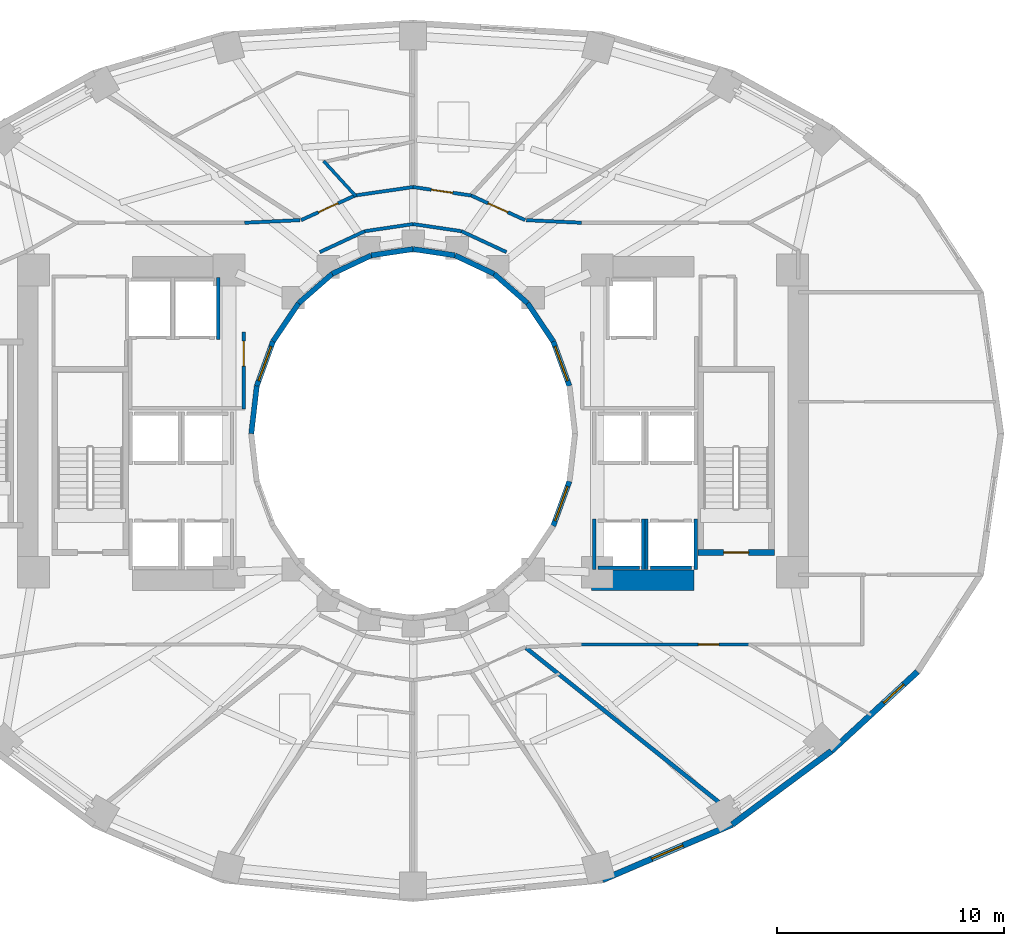
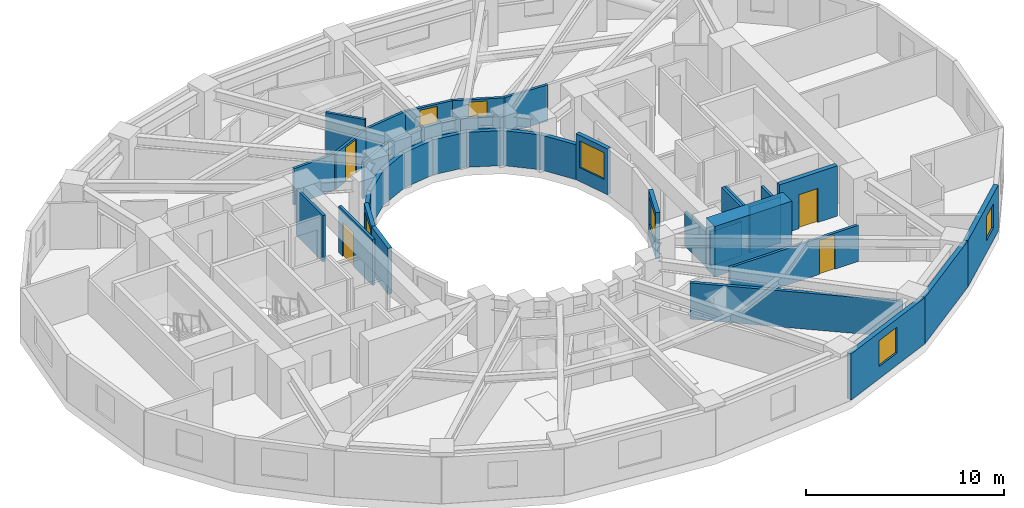
# One storey, part 5 of 9: 38 walls, 6 doors, 5 windows, 11 openings.
"""IFC4 building model written with IfcOpenShell, lengths in metres."""

from ifc_helpers import new_model, si_unit, direction, frame, frame_2d, origin, place, context, subcontext, project, spatial, rectangle, extrude, material, layer, layer_set, type_object, element, fill, save


model = new_model("IFC4")

# Units and contexts
model_context = context("Model", 3, precision=1e-05, world=origin(), true_north=direction((0.0, 1.0)))
body_context = subcontext(model_context, "Body", "Model", "MODEL_VIEW")
ifc_project = project(units=[si_unit("LENGTHUNIT", "METRE"), si_unit("AREAUNIT", "SQUARE_METRE"), si_unit("VOLUMEUNIT", "CUBIC_METRE"), si_unit("PLANEANGLEUNIT", "RADIAN"), si_unit("MASSUNIT", "GRAM", prefix="KILO")], contexts=[model_context])

# Site, building, storey
site_placement = place(None, origin())
site = spatial("IfcSite", under=ifc_project, at=site_placement, CompositionType="ELEMENT")
building_placement = place(site_placement, origin())
building = spatial("IfcBuilding", under=site, at=building_placement, Name="Solvane Sanctuary Tower", CompositionType="ELEMENT")
storey_placement = place(building_placement, frame((0.0, 0.0, 55.5)))
storey = spatial("IfcBuildingStorey", under=building, at=storey_placement, Name="L16", CompositionType="ELEMENT", Elevation=55.5)

# Wall
ifc_material_1 = material(Name="Concrete C70/85", Category="concrete")
ifc_layer_1 = layer(ifc_material_1, 0.89990234375, Name="Concrete C70/85")
ifc_layer_set_1 = layer_set([ifc_layer_1], Name="Concrete C70/85")
wall_type_1 = type_object("IfcWallType", Name="Wall W-CORE-900", PredefinedType="SHEAR", material=ifc_layer_set_1)
wall_1_placement = place(storey_placement, frame((39.85009765625, 16.550048828125, 0.0), z_axis=(0.0, 0.0, 1.0), x_axis=(1.0, 0.0, 0.0)))
element("IfcWall", 1, at=wall_1_placement, inside=storey, type_object=wall_type_1, Name="L16 Core Shear Wall EC-S", PredefinedType="SHEAR", context=body_context, shape_type="SweptSolid", body=[
    extrude(rectangle(XDim=4.5, YDim=0.89990234375, at=frame_2d((2.25, 0.0))), origin(), (0.0, 0.0, 1.0), 3.10009765625),
])

# Wall, opening, door
ifc_material_2 = material(Name="Acoustic Gypsum Partition Board")
ifc_layer_2 = layer(ifc_material_2, 0.14990234375, Name="Acoustic Gypsum Partition Board")
ifc_layer_set_2 = layer_set([ifc_layer_2], Name="Acoustic Gypsum Partition Board")
wall_type_2 = type_object("IfcWallType", Name="Wall W-CORR-150", PredefinedType="PARTITIONING", material=ifc_layer_set_2)
wall_2_placement = place(storey_placement, frame((24.550048828125, 24.080078125, 0.0), z_axis=(0.0, 0.0, 1.0), x_axis=(0.0, 1.0, 0.0)))
wall_2 = element("IfcWall", 2, at=wall_2_placement, inside=storey, type_object=wall_type_2, Name="L16 West Firefighting Lobby East Wall", PredefinedType="PARTITIONING", context=body_context, shape_type="SweptSolid", body=[
    extrude(rectangle(XDim=3.39990234375, YDim=0.14990234375, at=frame_2d((1.699951171875, 0.0))), origin(), (0.0, 0.0, 1.0), 2.85498046875),
])
opening_1_placement = place(wall_2_placement, frame((1.893798828125, 0.0, 0.0)))
opening_1 = element("IfcOpeningElement", 3, at=opening_1_placement, cuts=wall_2, Name="Opening D-L16-04", PredefinedType="OPENING", context=body_context, shape_type="SweptSolid", body=[
    extrude(rectangle(XDim=1.10009765625, YDim=2.10009765625, at=frame_2d((0.550048828125, 1.050048828125))), frame((0.0, 0.0849609375, 0.0), z_axis=(0.0, -1.0, 0.0), x_axis=(1.0, 0.0, 0.0)), (0.0, 0.0, 1.0), 0.169921875),
])
ifc_material_3 = material(Name="Architectural Stainless Steel 316", Category="steel")
door_type_1 = type_object("IfcDoorType", Name="Door D-FFL", OperationType="NOTDEFINED", PredefinedType="DOOR", material=ifc_material_3)
door_1_placement = place(opening_1_placement, origin())
door_1 = element("IfcDoor", 4, at=door_1_placement, inside=storey, type_object=door_type_1, Name="L16 West Firefighting Lobby Fire Door", OperationType="SINGLE_SWING_RIGHT", OverallHeight=2.10009765625, OverallWidth=1.10009765625, PredefinedType="DOOR", context=body_context, shape_type="SweptSolid", body=[
    extrude(rectangle(XDim=1.10009765625, YDim=2.10009765625, at=frame_2d((0.550048828125, 1.050048828125))), frame((0.0, 0.02490234375, 0.0), z_axis=(0.0, -1.0, 0.0), x_axis=(1.0, 0.0, 0.0)), (0.0, 0.0, 1.0), 0.050048828125),
])
fill(opening_1, door_1)

# Walls
wall_3_placement = place(storey_placement, frame((36.110107421875, 30.98486328125, 0.0), z_axis=(0.0, 0.0, 1.0), x_axis=(-0.906943449489, 0.421252393975, 0.0)))
element("IfcWall", 5, at=wall_3_placement, inside=storey, type_object=wall_type_2, Name="L16 Light-Well Corridor Rim Wall N1", PredefinedType="PARTITIONING", context=body_context, shape_type="SweptSolid", body=[
    extrude(rectangle(XDim=2.18603515625, YDim=0.14990234375, at=frame_2d((1.093017578125, 0.0))), origin(), (0.0, 0.0, 1.0), 2.237060546875),
])
for number, where, z_axis, x_axis, name in (
    (6, (34.12744140625, 31.90576171875, 0.0), (0.0, 0.0, 1.0), (-0.989268584896, 0.146108408166, 0.0), "L16 Light-Well Corridor Rim Wall N2"),
    (7, (32.0, 32.219970703125, 0.0), (0.0, 0.0, 1.0), (-0.989268584896, -0.146108408166, 0.0), "L16 Light-Well Corridor Rim Wall N3"),
):
    element("IfcWall", number, at=place(storey_placement, frame(where, z_axis=z_axis, x_axis=x_axis)), inside=storey, type_object=wall_type_2, Name=name, PredefinedType="PARTITIONING", context=body_context, shape_type="SweptSolid", body=[
        extrude(rectangle(XDim=2.150634765625, YDim=0.14990234375, at=frame_2d((1.0751953125, 0.0))), origin(), (0.0, 0.0, 1.0), 2.237060546875),
    ])
wall_4_placement = place(storey_placement, frame((29.87255859375, 31.90576171875, 0.0), z_axis=(0.0, 0.0, 1.0), x_axis=(-0.906943449489, -0.421252393975, 0.0)))
element("IfcWall", 8, at=wall_4_placement, inside=storey, type_object=wall_type_2, Name="L16 Light-Well Corridor Rim Wall N4", PredefinedType="PARTITIONING", context=body_context, shape_type="SweptSolid", body=[
    extrude(rectangle(XDim=2.18603515625, YDim=0.14990234375, at=frame_2d((1.093017578125, 0.0))), origin(), (0.0, 0.0, 1.0), 2.237060546875),
])
for number, where, z_axis, x_axis, name in (
    (9, (36.97998046875, 32.393798828125, 0.0), (0.0, 0.0, 1.0), (0.998877427952, -0.047369651964, 0.0), "L16 NE Corner Throat Wall"),
    (10, (27.02001953125, 32.393798828125, 0.0), (0.0, 0.0, 1.0), (-0.998877427952, -0.047369651964, 0.0), "L16 NW Corner Throat Wall"),
):
    element("IfcWall", number, at=place(storey_placement, frame(where, z_axis=z_axis, x_axis=x_axis)), inside=storey, type_object=wall_type_2, Name=name, PredefinedType="PARTITIONING", context=body_context, shape_type="SweptSolid", body=[
        extrude(rectangle(XDim=2.4326171875, YDim=0.14990234375, at=frame_2d((1.21630859375, 0.0))), origin(), (0.0, 0.0, 1.0), 2.237060546875),
    ])

# Wall, opening, door
wall_5_placement = place(storey_placement, frame((39.330078125, 13.719970703125, 0.0), z_axis=(0.0, 0.0, 1.0), x_axis=(1.0, 0.0, 0.0)))
wall_5 = element("IfcWall", 11, at=wall_5_placement, inside=storey, type_object=wall_type_2, Name="L16 SE Corner Corridor Wall", PredefinedType="PARTITIONING", context=body_context, shape_type="SweptSolid", body=[
    extrude(rectangle(XDim=7.52001953125, YDim=0.14990234375, at=frame_2d((3.760009765625, 0.0))), origin(), (0.0, 0.0, 1.0), 2.237060546875),
])
opening_2_placement = place(wall_5_placement, frame((5.219970703125, 0.0, 0.0)))
opening_2 = element("IfcOpeningElement", 12, at=opening_2_placement, cuts=wall_5, Name="Opening D-L16-17", PredefinedType="OPENING", context=body_context, shape_type="SweptSolid", body=[
    extrude(rectangle(XDim=0.89990234375, YDim=2.10009765625, at=frame_2d((0.449951171875, 1.050048828125))), frame((0.0, 0.0849609375, 0.0), z_axis=(0.0, -1.0, 0.0), x_axis=(1.0, 0.0, 0.0)), (0.0, 0.0, 1.0), 0.169921875),
])
ifc_material_4 = material(Name="Engineered Tropical Hardwood", Category="wood")
door_type_2 = type_object("IfcDoorType", Name="Door D-WET-900", OperationType="NOTDEFINED", PredefinedType="DOOR", material=ifc_material_4)
door_2_placement = place(opening_2_placement, origin())
door_2 = element("IfcDoor", 13, at=door_2_placement, inside=storey, type_object=door_type_2, Name="L16 SE Corner Salon Door", OperationType="SINGLE_SWING_LEFT", OverallHeight=2.10009765625, OverallWidth=0.89990234375, PredefinedType="DOOR", context=body_context, shape_type="SweptSolid", body=[
    extrude(rectangle(XDim=0.89990234375, YDim=2.10009765625, at=frame_2d((0.449951171875, 1.050048828125))), frame((0.0, 0.02490234375, 0.0), z_axis=(0.0, -1.0, 0.0), x_axis=(1.0, 0.0, 0.0)), (0.0, 0.0, 1.0), 0.050048828125),
])
fill(opening_2, door_2)

wall_6_placement = place(storey_placement, frame((36.930908203125, 32.392578125, 0.0), z_axis=(0.0, 0.0, 1.0), x_axis=(-0.909747571199, 0.415161843982, 0.0)))
wall_6 = element("IfcWall", 14, at=wall_6_placement, inside=storey, type_object=wall_type_2, Name="L16 Unit Corridor Wall N1", PredefinedType="PARTITIONING", context=body_context, shape_type="SweptSolid", body=[
    extrude(rectangle(XDim=2.625, YDim=0.14990234375, at=frame_2d((1.3125, 0.0))), origin(), (0.0, 0.0, 1.0), 2.237060546875),
])
opening_3_placement = place(wall_6_placement, frame((0.837646484375, 0.0, 0.0)))
opening_3 = element("IfcOpeningElement", 15, at=opening_3_placement, cuts=wall_6, Name="Opening D-L16-18", PredefinedType="OPENING", context=body_context, shape_type="SweptSolid", body=[
    extrude(rectangle(XDim=0.949951171875, YDim=2.10009765625, at=frame_2d((0.47509765625, 1.050048828125))), frame((0.0, 0.0849609375, 0.0), z_axis=(0.0, -1.0, 0.0), x_axis=(1.0, 0.0, 0.0)), (0.0, 0.0, 1.0), 0.169921875),
])
door_type_3 = type_object("IfcDoorType", Name="Door D-ROOM-950", OperationType="NOTDEFINED", PredefinedType="DOOR", material=ifc_material_4)
door_3_placement = place(opening_3_placement, origin())
door_3 = element("IfcDoor", 16, at=door_3_placement, inside=storey, type_object=door_type_3, Name="L16 Unit Entrance Door N1", OperationType="SINGLE_SWING_RIGHT", OverallHeight=2.10009765625, OverallWidth=0.949951171875, PredefinedType="DOOR", context=body_context, shape_type="SweptSolid", body=[
    extrude(rectangle(XDim=0.949951171875, YDim=2.10009765625, at=frame_2d((0.47509765625, 1.050048828125))), frame((0.0, 0.02490234375, 0.0), z_axis=(0.0, -1.0, 0.0), x_axis=(1.0, 0.0, 0.0)), (0.0, 0.0, 1.0), 0.050048828125),
])
fill(opening_3, door_3)

wall_7_placement = place(storey_placement, frame((34.555908203125, 33.478271484375, 0.0), z_axis=(0.0, 0.0, 1.0), x_axis=(-0.989637894688, 0.143585644814, 0.0)))
wall_7 = element("IfcWall", 17, at=wall_7_placement, inside=storey, type_object=wall_type_2, Name="L16 Unit Corridor Wall N2", PredefinedType="PARTITIONING", context=body_context, shape_type="SweptSolid", body=[
    extrude(rectangle(XDim=2.589599609375, YDim=0.14990234375, at=frame_2d((1.294921875, 0.0))), origin(), (0.0, 0.0, 1.0), 2.237060546875),
])
opening_4_placement = place(wall_7_placement, frame((0.81982421875, 0.0, 0.0)))
opening_4 = element("IfcOpeningElement", 18, at=opening_4_placement, cuts=wall_7, Name="Opening D-L16-19", PredefinedType="OPENING", context=body_context, shape_type="SweptSolid", body=[
    extrude(rectangle(XDim=0.949951171875, YDim=2.10009765625, at=frame_2d((0.47509765625, 1.050048828125))), frame((0.0, 0.0849609375, 0.0), z_axis=(0.0, -1.0, 0.0), x_axis=(1.0, 0.0, 0.0)), (0.0, 0.0, 1.0), 0.169921875),
])
door_4_placement = place(opening_4_placement, origin())
door_4 = element("IfcDoor", 19, at=door_4_placement, inside=storey, type_object=door_type_3, Name="L16 Unit Entrance Door N2", OperationType="SINGLE_SWING_LEFT", OverallHeight=2.10009765625, OverallWidth=0.949951171875, PredefinedType="DOOR", context=body_context, shape_type="SweptSolid", body=[
    extrude(rectangle(XDim=0.949951171875, YDim=2.10009765625, at=frame_2d((0.47509765625, 1.050048828125))), frame((0.0, 0.02490234375, 0.0), z_axis=(0.0, -1.0, 0.0), x_axis=(1.0, 0.0, 0.0)), (0.0, 0.0, 1.0), 0.050048828125),
])
fill(opening_4, door_4)

# Wall
wall_8_placement = place(storey_placement, frame((32.049560546875, 33.857177734375, 0.0), z_axis=(0.0, 0.0, 1.0), x_axis=(-0.989649898776, -0.143502884474, 0.0)))
element("IfcWall", 20, at=wall_8_placement, inside=storey, type_object=wall_type_2, Name="L16 En-suite Inner Wall N3", PredefinedType="PARTITIONING", context=body_context, shape_type="SweptSolid", body=[
    extrude(rectangle(XDim=2.676025390625, YDim=0.14990234375, at=frame_2d((1.337890625, 0.0))), origin(), (0.0, 0.0, 1.0), 2.237060546875),
])

# Wall, opening, door
wall_9_placement = place(storey_placement, frame((29.457275390625, 33.482421875, 0.0), z_axis=(0.0, 0.0, 1.0), x_axis=(-0.909747571199, -0.415161843982, 0.0)))
wall_9 = element("IfcWall", 21, at=wall_9_placement, inside=storey, type_object=wall_type_2, Name="L16 Unit Corridor Wall N3", PredefinedType="PARTITIONING", context=body_context, shape_type="SweptSolid", body=[
    extrude(rectangle(XDim=2.625, YDim=0.14990234375, at=frame_2d((1.3125, 0.0))), origin(), (0.0, 0.0, 1.0), 2.237060546875),
])
opening_5_placement = place(wall_9_placement, frame((0.837646484375, 0.0, 0.0)))
opening_5 = element("IfcOpeningElement", 22, at=opening_5_placement, cuts=wall_9, Name="Opening D-L16-22", PredefinedType="OPENING", context=body_context, shape_type="SweptSolid", body=[
    extrude(rectangle(XDim=0.949951171875, YDim=2.10009765625, at=frame_2d((0.47509765625, 1.050048828125))), frame((0.0, 0.0849609375, 0.0), z_axis=(0.0, -1.0, 0.0), x_axis=(1.0, 0.0, 0.0)), (0.0, 0.0, 1.0), 0.169921875),
])
door_5_placement = place(opening_5_placement, origin())
door_5 = element("IfcDoor", 23, at=door_5_placement, inside=storey, type_object=door_type_3, Name="L16 Unit Entrance Door N3", OperationType="SINGLE_SWING_RIGHT", OverallHeight=2.10009765625, OverallWidth=0.949951171875, PredefinedType="DOOR", context=body_context, shape_type="SweptSolid", body=[
    extrude(rectangle(XDim=0.949951171875, YDim=2.10009765625, at=frame_2d((0.47509765625, 1.050048828125))), frame((0.0, 0.02490234375, 0.0), z_axis=(0.0, -1.0, 0.0), x_axis=(1.0, 0.0, 0.0)), (0.0, 0.0, 1.0), 0.050048828125),
])
fill(opening_5, door_5)

# Wall, opening, window
ifc_material_5 = material(Name="Precast concrete C40/50", Category="concrete")
ifc_layer_3 = layer(ifc_material_5, 0.260009765625, Name="Precast concrete C40/50")
ifc_layer_set_3 = layer_set([ifc_layer_3], Name="Precast concrete C40/50")
wall_type_3 = type_object("IfcWallType", Name="Wall W-EXT-250", PredefinedType="STANDARD", material=ifc_layer_set_3)
wall_10_placement = place(storey_placement, frame((40.331787109375, 3.36376953125, 0.0), z_axis=(0.0, 0.0, 1.0), x_axis=(0.919612132394, 0.39282760335, 0.0)))
wall_10 = element("IfcWall", 24, at=wall_10_placement, inside=storey, type_object=wall_type_3, Name="L16 Ceramic-Printed Facade Wall 19", PredefinedType="STANDARD", context=body_context, shape_type="SweptSolid", body=[
    extrude(rectangle(XDim=6.20947265625, YDim=0.260009765625, at=frame_2d((3.104736328125, 0.0))), origin(), (0.0, 0.0, 1.0), 2.85009765625),
])
opening_6_placement = place(wall_10_placement, frame((2.354736328125, 0.0, 0.75)))
opening_6 = element("IfcOpeningElement", 25, at=opening_6_placement, cuts=wall_10, Name="Opening WN-OPER-1500", PredefinedType="OPENING", context=body_context, shape_type="SweptSolid", body=[
    extrude(rectangle(XDim=1.5, YDim=1.60009765625, at=frame_2d((0.75, 0.800048828125))), frame((0.0, 0.139892578125, 0.0), z_axis=(0.0, -1.0, 0.0), x_axis=(1.0, 0.0, 0.0)), (0.0, 0.0, 1.0), 0.280029296875),
])
ifc_material_6 = material(Name="Dark Ceramic-Fritted Low-E Glass", Category="glass")
window_type_1 = type_object("IfcWindowType", Name="Window WN-OPER-1500", PartitioningType="SINGLE_PANEL", PredefinedType="WINDOW", material=ifc_material_6)
window_1_placement = place(opening_6_placement, origin())
window_1 = element("IfcWindow", 26, at=window_1_placement, inside=storey, type_object=window_type_1, Name="L16 Operable Facade Window 19", OverallHeight=1.60009765625, OverallWidth=1.5, PartitioningType="SINGLE_PANEL", PredefinedType="WINDOW", context=body_context, shape_type="SweptSolid", body=[
    extrude(rectangle(XDim=1.5, YDim=1.60009765625, at=frame_2d((0.75, 0.800048828125))), frame((0.0, 0.030029296875, 0.0), z_axis=(0.0, -1.0, 0.0), x_axis=(1.0, 0.0, 0.0)), (0.0, 0.0, 1.0), 0.06005859375),
])
fill(opening_6, window_1)

# Wall
wall_11_placement = place(storey_placement, frame((46.0419921875, 5.802978515625, 0.0), z_axis=(0.0, 0.0, 1.0), x_axis=(0.803477531792, 0.595335078679, 0.0)))
element("IfcWall", 27, at=wall_11_placement, inside=storey, type_object=wall_type_3, Name="L16 Ceramic-Printed Facade Wall 20", PredefinedType="STANDARD", context=body_context, shape_type="SweptSolid", body=[
    extrude(rectangle(XDim=5.4296875, YDim=0.260009765625, at=frame_2d((2.71484375, 0.0))), origin(), (0.0, 0.0, 1.0), 2.85009765625),
])

# Wall, opening, window
wall_12_placement = place(storey_placement, frame((50.404541015625, 9.035400390625, 0.0), z_axis=(0.0, 0.0, 1.0), x_axis=(0.735655109293, 0.67735630223, 0.0)))
wall_12 = element("IfcWall", 28, at=wall_12_placement, inside=storey, type_object=wall_type_3, Name="L16 Ceramic-Printed Facade Wall 21", PredefinedType="STANDARD", context=body_context, shape_type="SweptSolid", body=[
    extrude(rectangle(XDim=5.15087890625, YDim=0.260009765625, at=frame_2d((2.575439453125, 0.0))), origin(), (0.0, 0.0, 1.0), 2.85009765625),
])
opening_7_placement = place(wall_12_placement, frame((3.12548828125, 0.0, 0.75)))
opening_7 = element("IfcOpeningElement", 29, at=opening_7_placement, cuts=wall_12, Name="Opening WN-OPER-1200", PredefinedType="OPENING", context=body_context, shape_type="SweptSolid", body=[
    extrude(rectangle(XDim=1.199951171875, YDim=1.5, at=frame_2d((0.60009765625, 0.75))), frame((0.0, 0.139892578125, 0.0), z_axis=(0.0, -1.0, 0.0), x_axis=(1.0, 0.0, 0.0)), (0.0, 0.0, 1.0), 0.280029296875),
])
window_type_2 = type_object("IfcWindowType", Name="Window WN-OPER-1200", PartitioningType="SINGLE_PANEL", PredefinedType="WINDOW", material=ifc_material_6)
window_2_placement = place(opening_7_placement, origin())
window_2 = element("IfcWindow", 30, at=window_2_placement, inside=storey, type_object=window_type_2, Name="L16 Operable Facade Window 21", OverallHeight=1.5, OverallWidth=1.199951171875, PartitioningType="SINGLE_PANEL", PredefinedType="WINDOW", context=body_context, shape_type="SweptSolid", body=[
    extrude(rectangle(XDim=1.199951171875, YDim=1.5, at=frame_2d((0.60009765625, 0.75))), frame((0.0, 0.030029296875, 0.0), z_axis=(0.0, -1.0, 0.0), x_axis=(1.0, 0.0, 0.0)), (0.0, 0.0, 1.0), 0.06005859375),
])
fill(opening_7, window_2)

ifc_layer_4 = layer(ifc_material_5, 0.22998046875, Name="Precast concrete C40/50")
ifc_layer_set_4 = layer_set([ifc_layer_4], Name="Precast concrete C40/50")
wall_type_4 = type_object("IfcWallType", Name="Wall W-EXT-SP220", PredefinedType="STANDARD", material=ifc_layer_set_4)
wall_13_placement = place(storey_placement, frame((38.87744140625, 25.1015625, 0.0), z_axis=(0.0, 0.0, 1.0), x_axis=(-0.341423187295, 0.93990968033, 0.0)))
wall_13 = element("IfcWall", 31, at=wall_13_placement, inside=storey, type_object=wall_type_4, Name="L16 Central Light-Well Wall 01", PredefinedType="STANDARD", context=body_context, shape_type="SweptSolid", body=[
    extrude(rectangle(XDim=2.083740234375, YDim=0.22998046875, at=frame_2d((1.0419921875, 0.0))), origin(), (0.0, 0.0, 1.0), 2.840087890625),
])
opening_8_placement = place(wall_13_placement, frame((0.24169921875, 0.0, 0.85009765625)))
opening_8 = element("IfcOpeningElement", 32, at=opening_8_placement, cuts=wall_13, Name="Opening WN-WELL-1600", PredefinedType="OPENING", context=body_context, shape_type="SweptSolid", body=[
    extrude(rectangle(XDim=1.60009765625, YDim=1.64990234375, at=frame_2d((0.800048828125, 0.824951171875))), frame((0.0, 0.125, 0.0), z_axis=(0.0, -1.0, 0.0), x_axis=(1.0, 0.0, 0.0)), (0.0, 0.0, 1.0), 0.25),
])
ifc_material_7 = material(Name="Clear Laminated Light-Well Glass", Category="glass")
window_type_3 = type_object("IfcWindowType", Name="Window WN-WELL-1600", PartitioningType="SINGLE_PANEL", PredefinedType="WINDOW", material=ifc_material_7)
window_3_placement = place(opening_8_placement, origin())
window_3 = element("IfcWindow", 33, at=window_3_placement, inside=storey, type_object=window_type_3, Name="L16 Light-Well Daylight Window 01", OverallHeight=1.64990234375, OverallWidth=1.60009765625, PartitioningType="SINGLE_PANEL", PredefinedType="WINDOW", context=body_context, shape_type="SweptSolid", body=[
    extrude(rectangle(XDim=1.60009765625, YDim=1.64990234375, at=frame_2d((0.800048828125, 0.824951171875))), frame((0.0, 0.030029296875, 0.0), z_axis=(0.0, -1.0, 0.0), x_axis=(1.0, 0.0, 0.0)), (0.0, 0.0, 1.0), 0.06005859375),
])
fill(opening_8, window_3)

# Walls
wall_14_placement = place(storey_placement, frame((38.166015625, 27.06005859375, 0.0), z_axis=(0.0, 0.0, 1.0), x_axis=(-0.558197800898, 0.829707909492, 0.0)))
element("IfcWall", 34, at=wall_14_placement, inside=storey, type_object=wall_type_4, Name="L16 Central Light-Well Wall 02", PredefinedType="STANDARD", context=body_context, shape_type="SweptSolid", body=[
    extrude(rectangle(XDim=2.02685546875, YDim=0.22998046875, at=frame_2d((1.013427734375, 0.0))), origin(), (0.0, 0.0, 1.0), 2.159912109375),
])
wall_15_placement = place(storey_placement, frame((37.03466796875, 28.74169921875, 0.0), z_axis=(0.0, 0.0, 1.0), x_axis=(-0.752576694707, 0.658504607869, 0.0)))
element("IfcWall", 35, at=wall_15_placement, inside=storey, type_object=wall_type_4, Name="L16 Central Light-Well Wall 03", PredefinedType="STANDARD", context=body_context, shape_type="SweptSolid", body=[
    extrude(rectangle(XDim=1.95947265625, YDim=0.22998046875, at=frame_2d((0.979736328125, 0.0))), origin(), (0.0, 0.0, 1.0), 2.159912109375),
])
wall_16_placement = place(storey_placement, frame((35.56005859375, 30.031982421875, 0.0), z_axis=(0.0, 0.0, 1.0), x_axis=(-0.904179699603, 0.427152280606, 0.0)))
element("IfcWall", 36, at=wall_16_placement, inside=storey, type_object=wall_type_4, Name="L16 Central Light-Well Wall 04", PredefinedType="STANDARD", context=body_context, shape_type="SweptSolid", body=[
    extrude(rectangle(XDim=1.899169921875, YDim=0.22998046875, at=frame_2d((0.94970703125, 0.0))), origin(), (0.0, 0.0, 1.0), 2.159912109375),
])
for number, where, z_axis, x_axis, name in (
    (37, (33.8427734375, 30.84326171875, 0.0), (0.0, 0.0, 1.0), (-0.988901730308, 0.148571086668, 0.0), "L16 Central Light-Well Wall 05"),
    (38, (32.0, 31.1201171875, 0.0), (0.0, 0.0, 1.0), (-0.988901730308, -0.148571086668, 0.0), "L16 Central Light-Well Wall 06"),
):
    element("IfcWall", number, at=place(storey_placement, frame(where, z_axis=z_axis, x_axis=x_axis)), inside=storey, type_object=wall_type_4, Name=name, PredefinedType="STANDARD", context=body_context, shape_type="SweptSolid", body=[
        extrude(rectangle(XDim=1.863525390625, YDim=0.22998046875, at=frame_2d((0.931640625, 0.0))), origin(), (0.0, 0.0, 1.0), 2.159912109375),
    ])
wall_17_placement = place(storey_placement, frame((30.1572265625, 30.84326171875, 0.0), z_axis=(0.0, 0.0, 1.0), x_axis=(-0.904179699603, -0.427152280606, 0.0)))
element("IfcWall", 39, at=wall_17_placement, inside=storey, type_object=wall_type_4, Name="L16 Central Light-Well Wall 07", PredefinedType="STANDARD", context=body_context, shape_type="SweptSolid", body=[
    extrude(rectangle(XDim=1.899169921875, YDim=0.22998046875, at=frame_2d((0.94970703125, 0.0))), origin(), (0.0, 0.0, 1.0), 2.159912109375),
])
wall_18_placement = place(storey_placement, frame((28.43994140625, 30.031982421875, 0.0), z_axis=(0.0, 0.0, 1.0), x_axis=(-0.752576694707, -0.658504607869, 0.0)))
element("IfcWall", 40, at=wall_18_placement, inside=storey, type_object=wall_type_4, Name="L16 Central Light-Well Wall 08", PredefinedType="STANDARD", context=body_context, shape_type="SweptSolid", body=[
    extrude(rectangle(XDim=1.95947265625, YDim=0.22998046875, at=frame_2d((0.979736328125, 0.0))), origin(), (0.0, 0.0, 1.0), 2.159912109375),
])
wall_19_placement = place(storey_placement, frame((26.96533203125, 28.74169921875, 0.0), z_axis=(0.0, 0.0, 1.0), x_axis=(-0.558197800898, -0.829707909492, 0.0)))
element("IfcWall", 41, at=wall_19_placement, inside=storey, type_object=wall_type_4, Name="L16 Central Light-Well Wall 09", PredefinedType="STANDARD", context=body_context, shape_type="SweptSolid", body=[
    extrude(rectangle(XDim=2.02685546875, YDim=0.22998046875, at=frame_2d((1.013427734375, 0.0))), origin(), (0.0, 0.0, 1.0), 2.159912109375),
])

# Wall, opening, window
wall_20_placement = place(storey_placement, frame((25.833984375, 27.06005859375, 0.0), z_axis=(0.0, 0.0, 1.0), x_axis=(-0.341423187295, -0.93990968033, 0.0)))
wall_20 = element("IfcWall", 42, at=wall_20_placement, inside=storey, type_object=wall_type_4, Name="L16 Central Light-Well Wall 10", PredefinedType="STANDARD", context=body_context, shape_type="SweptSolid", body=[
    extrude(rectangle(XDim=2.083740234375, YDim=0.22998046875, at=frame_2d((1.0419921875, 0.0))), origin(), (0.0, 0.0, 1.0), 2.840087890625),
])
opening_9_placement = place(wall_20_placement, frame((0.24169921875, 0.0, 0.85009765625)))
opening_9 = element("IfcOpeningElement", 43, at=opening_9_placement, cuts=wall_20, Name="Opening WN-WELL-1600", PredefinedType="OPENING", context=body_context, shape_type="SweptSolid", body=[
    extrude(rectangle(XDim=1.60009765625, YDim=1.64990234375, at=frame_2d((0.800048828125, 0.824951171875))), frame((0.0, 0.125, 0.0), z_axis=(0.0, -1.0, 0.0), x_axis=(1.0, 0.0, 0.0)), (0.0, 0.0, 1.0), 0.25),
])
window_4_placement = place(opening_9_placement, origin())
window_4 = element("IfcWindow", 44, at=window_4_placement, inside=storey, type_object=window_type_3, Name="L16 Light-Well Daylight Window 10", OverallHeight=1.64990234375, OverallWidth=1.60009765625, PartitioningType="SINGLE_PANEL", PredefinedType="WINDOW", context=body_context, shape_type="SweptSolid", body=[
    extrude(rectangle(XDim=1.60009765625, YDim=1.64990234375, at=frame_2d((0.800048828125, 0.824951171875))), frame((0.0, 0.030029296875, 0.0), z_axis=(0.0, -1.0, 0.0), x_axis=(1.0, 0.0, 0.0)), (0.0, 0.0, 1.0), 0.06005859375),
])
fill(opening_9, window_4)

# Wall
wall_21_placement = place(storey_placement, frame((25.12255859375, 25.1015625, 0.0), z_axis=(0.0, 0.0, 1.0), x_axis=(-0.114711713601, -0.993398823617, 0.0)))
element("IfcWall", 45, at=wall_21_placement, inside=storey, type_object=wall_type_4, Name="L16 Central Light-Well Wall 11", PredefinedType="STANDARD", context=body_context, shape_type="SweptSolid", body=[
    extrude(rectangle(XDim=2.115478515625, YDim=0.22998046875, at=frame_2d((1.0576171875, 0.0))), origin(), (0.0, 0.0, 1.0), 2.840087890625),
])

# Wall, opening, window
wall_22_placement = place(storey_placement, frame((38.166015625, 18.93994140625, 0.0), z_axis=(0.0, 0.0, 1.0), x_axis=(0.341423187295, 0.93990968033, 0.0)))
wall_22 = element("IfcWall", 46, at=wall_22_placement, inside=storey, type_object=wall_type_4, Name="L16 Central Light-Well Wall 22", PredefinedType="STANDARD", context=body_context, shape_type="SweptSolid", body=[
    extrude(rectangle(XDim=2.083740234375, YDim=0.22998046875, at=frame_2d((1.0419921875, 0.0))), origin(), (0.0, 0.0, 1.0), 2.840087890625),
])
opening_10_placement = place(wall_22_placement, frame((0.24169921875, 0.0, 0.85009765625)))
opening_10 = element("IfcOpeningElement", 47, at=opening_10_placement, cuts=wall_22, Name="Opening WN-WELL-1600", PredefinedType="OPENING", context=body_context, shape_type="SweptSolid", body=[
    extrude(rectangle(XDim=1.60009765625, YDim=1.64990234375, at=frame_2d((0.800048828125, 0.824951171875))), frame((0.0, 0.125, 0.0), z_axis=(0.0, -1.0, 0.0), x_axis=(1.0, 0.0, 0.0)), (0.0, 0.0, 1.0), 0.25),
])
window_5_placement = place(opening_10_placement, origin())
window_5 = element("IfcWindow", 48, at=window_5_placement, inside=storey, type_object=window_type_3, Name="L16 Light-Well Daylight Window 22", OverallHeight=1.64990234375, OverallWidth=1.60009765625, PartitioningType="SINGLE_PANEL", PredefinedType="WINDOW", context=body_context, shape_type="SweptSolid", body=[
    extrude(rectangle(XDim=1.60009765625, YDim=1.64990234375, at=frame_2d((0.800048828125, 0.824951171875))), frame((0.0, 0.030029296875, 0.0), z_axis=(0.0, -1.0, 0.0), x_axis=(1.0, 0.0, 0.0)), (0.0, 0.0, 1.0), 0.06005859375),
])
fill(opening_10, window_5)

# Walls
ifc_material_8 = material(Name="Concrete C50/60", Category="concrete")
ifc_layer_5 = layer(ifc_material_8, 0.14990234375, Name="Concrete C50/60")
ifc_layer_set_5 = layer_set([ifc_layer_5], Name="Concrete C50/60")
wall_type_5 = type_object("IfcWallType", Name="Wall W-SHAFT-150", PredefinedType="SOLIDWALL", material=ifc_layer_set_5)
wall_23_placement = place(storey_placement, frame((40.139892578125, 17.10009765625, 0.0), z_axis=(0.0, 0.0, 1.0), x_axis=(1.0, 0.0, 0.0)))
element("IfcWall", 49, at=wall_23_placement, inside=storey, type_object=wall_type_5, Name="L16 PL-3 Lift Shaft Wall B", PredefinedType="SOLIDWALL", context=body_context, shape_type="SweptSolid", body=[
    extrude(rectangle(XDim=1.820068359375, YDim=0.14990234375, at=frame_2d((0.91015625, 0.0))), origin(), (0.0, 0.0, 1.0), 2.1201171875),
])
wall_24_placement = place(storey_placement, frame((39.969970703125, 17.02001953125, 0.0), z_axis=(0.0, 0.0, 1.0), x_axis=(0.0, 1.0, 0.0)))
element("IfcWall", 50, at=wall_24_placement, inside=storey, type_object=wall_type_5, Name="L16 PL-3 Lift Shaft Wall S1", PredefinedType="SOLIDWALL", context=body_context, shape_type="SweptSolid", body=[
    extrude(rectangle(XDim=2.219970703125, YDim=0.14990234375, at=frame_2d((1.10986328125, 0.0))), origin(), (0.0, 0.0, 1.0), 2.1201171875),
])
wall_25_placement = place(storey_placement, frame((42.1298828125, 17.02001953125, 0.0), z_axis=(0.0, 0.0, 1.0), x_axis=(0.0, 1.0, 0.0)))
element("IfcWall", 51, at=wall_25_placement, inside=storey, type_object=wall_type_5, Name="L16 PL-3 Lift Shaft Wall S2", PredefinedType="SOLIDWALL", context=body_context, shape_type="SweptSolid", body=[
    extrude(rectangle(XDim=2.219970703125, YDim=0.14990234375, at=frame_2d((1.10986328125, 0.0))), origin(), (0.0, 0.0, 1.0), 2.85498046875),
])
wall_26_placement = place(storey_placement, frame((42.43994140625, 17.10009765625, 0.0), z_axis=(0.0, 0.0, 1.0), x_axis=(1.0, 0.0, 0.0)))
element("IfcWall", 52, at=wall_26_placement, inside=storey, type_object=wall_type_5, Name="L16 PL-4 Lift Shaft Wall B", PredefinedType="SOLIDWALL", context=body_context, shape_type="SweptSolid", body=[
    extrude(rectangle(XDim=1.820068359375, YDim=0.14990234375, at=frame_2d((0.91015625, 0.0))), origin(), (0.0, 0.0, 1.0), 2.85498046875),
])
wall_27_placement = place(storey_placement, frame((42.27001953125, 17.02001953125, 0.0), z_axis=(0.0, 0.0, 1.0), x_axis=(0.0, 1.0, 0.0)))
element("IfcWall", 53, at=wall_27_placement, inside=storey, type_object=wall_type_5, Name="L16 PL-4 Lift Shaft Wall S1", PredefinedType="SOLIDWALL", context=body_context, shape_type="SweptSolid", body=[
    extrude(rectangle(XDim=2.219970703125, YDim=0.14990234375, at=frame_2d((1.10986328125, 0.0))), origin(), (0.0, 0.0, 1.0), 2.85498046875),
])
wall_28_placement = place(storey_placement, frame((44.429931640625, 17.02001953125, 0.0), z_axis=(0.0, 0.0, 1.0), x_axis=(0.0, 1.0, 0.0)))
element("IfcWall", 54, at=wall_28_placement, inside=storey, type_object=wall_type_5, Name="L16 PL-4 Lift Shaft Wall S2", PredefinedType="SOLIDWALL", context=body_context, shape_type="SweptSolid", body=[
    extrude(rectangle(XDim=2.219970703125, YDim=0.14990234375, at=frame_2d((1.10986328125, 0.0))), origin(), (0.0, 0.0, 1.0), 2.1201171875),
])
wall_29_placement = place(storey_placement, frame((23.429931640625, 27.139892578125, 0.0), z_axis=(0.0, 0.0, 1.0), x_axis=(0.0, 1.0, 0.0)))
element("IfcWall", 55, at=wall_29_placement, inside=storey, type_object=wall_type_5, Name="L16 SVL-1 Lift Shaft Wall S2", PredefinedType="SOLIDWALL", context=body_context, shape_type="SweptSolid", body=[
    extrude(rectangle(XDim=2.72021484375, YDim=0.14990234375, at=frame_2d((1.360107421875, 0.0))), origin(), (0.0, 0.0, 1.0), 2.85498046875),
])

# Wall, opening, door
ifc_layer_6 = layer(ifc_material_8, 0.25, Name="Concrete C50/60")
ifc_layer_set_6 = layer_set([ifc_layer_6], Name="Concrete C50/60")
wall_type_6 = type_object("IfcWallType", Name="Wall W-SHAFT-250", PredefinedType="SOLIDWALL", material=ifc_layer_set_6)
wall_30_placement = place(storey_placement, frame((44.52490234375, 17.77001953125, 0.0), z_axis=(0.0, 0.0, 1.0), x_axis=(1.0, 0.0, 0.0)))
wall_30 = element("IfcWall", 56, at=wall_30_placement, inside=storey, type_object=wall_type_6, Name="L16 ST-2 Load-Bearing Shaft Wall S", PredefinedType="SOLIDWALL", context=body_context, shape_type="SweptSolid", body=[
    extrude(rectangle(XDim=3.3701171875, YDim=0.25, at=frame_2d((1.68505859375, 0.0))), origin(), (0.0, 0.0, 1.0), 3.10009765625),
])
opening_11_placement = place(wall_30_placement, frame((1.135009765625, 0.0, 0.0)))
opening_11 = element("IfcOpeningElement", 57, at=opening_11_placement, cuts=wall_30, Name="Opening D-L16-02", PredefinedType="OPENING", context=body_context, shape_type="SweptSolid", body=[
    extrude(rectangle(XDim=1.10009765625, YDim=2.10009765625, at=frame_2d((0.550048828125, 1.050048828125))), frame((0.0, 0.135009765625, 0.0), z_axis=(0.0, -1.0, 0.0), x_axis=(1.0, 0.0, 0.0)), (0.0, 0.0, 1.0), 0.27001953125),
])
door_type_4 = type_object("IfcDoorType", Name="Door D-STAIR", OperationType="NOTDEFINED", PredefinedType="DOOR", material=ifc_material_3)
door_6_placement = place(opening_11_placement, origin())
door_6 = element("IfcDoor", 58, at=door_6_placement, inside=storey, type_object=door_type_4, Name="L16 ST-2 Exit Stair Fire Door", OperationType="SINGLE_SWING_LEFT", OverallHeight=2.10009765625, OverallWidth=1.10009765625, PredefinedType="DOOR", context=body_context, shape_type="SweptSolid", body=[
    extrude(rectangle(XDim=1.10009765625, YDim=2.10009765625, at=frame_2d((0.550048828125, 1.050048828125))), frame((0.0, 0.02490234375, 0.0), z_axis=(0.0, -1.0, 0.0), x_axis=(1.0, 0.0, 0.0)), (0.0, 0.0, 1.0), 0.050048828125),
])
fill(opening_11, door_6)

# Walls
ifc_layer_7 = layer(ifc_material_2, 0.179931640625, Name="Acoustic Gypsum Partition Board")
ifc_layer_set_7 = layer_set([ifc_layer_7], Name="Acoustic Gypsum Partition Board")
wall_type_7 = type_object("IfcWallType", Name="Wall W-UNIT-180", PredefinedType="PARTITIONING", material=ifc_layer_set_7)
wall_31_placement = place(storey_placement, frame((36.968017578125, 13.5693359375, 0.0), z_axis=(0.0, 0.0, 1.0), x_axis=(0.781055486744, -0.624461629428, 0.0)))
element("IfcWall", 59, at=wall_31_placement, inside=storey, type_object=wall_type_7, Name="L16 Radial Compartment Wall 300", PredefinedType="PARTITIONING", context=body_context, shape_type="SweptSolid", body=[
    extrude(rectangle(XDim=10.84326171875, YDim=0.179931640625, at=frame_2d((5.421630859375, 0.0))), origin(), (0.0, 0.0, 1.0), 2.237060546875),
])
ifc_layer_8 = layer(ifc_material_2, 0.139892578125, Name="Acoustic Gypsum Partition Board")
ifc_layer_set_8 = layer_set([ifc_layer_8], Name="Acoustic Gypsum Partition Board")
wall_type_8 = type_object("IfcWallType", Name="Wall W-WET-140", PredefinedType="PLUMBINGWALL", material=ifc_layer_set_8)
wall_32_placement = place(storey_placement, frame((29.484375, 33.443359375, 0.0), z_axis=(0.0, 0.0, 1.0), x_axis=(-0.675445566455, 0.737409849918, 0.0)))
element("IfcWall", 60, at=wall_32_placement, inside=storey, type_object=wall_type_8, Name="L16 En-suite Side Partition N3", PredefinedType="PLUMBINGWALL", context=body_context, shape_type="SweptSolid", body=[
    extrude(rectangle(XDim=2.10009765625, YDim=0.139892578125, at=frame_2d((1.050048828125, 0.0))), origin(), (0.0, 0.0, 1.0), 2.85498046875),
])

save(model, "model.ifc")
